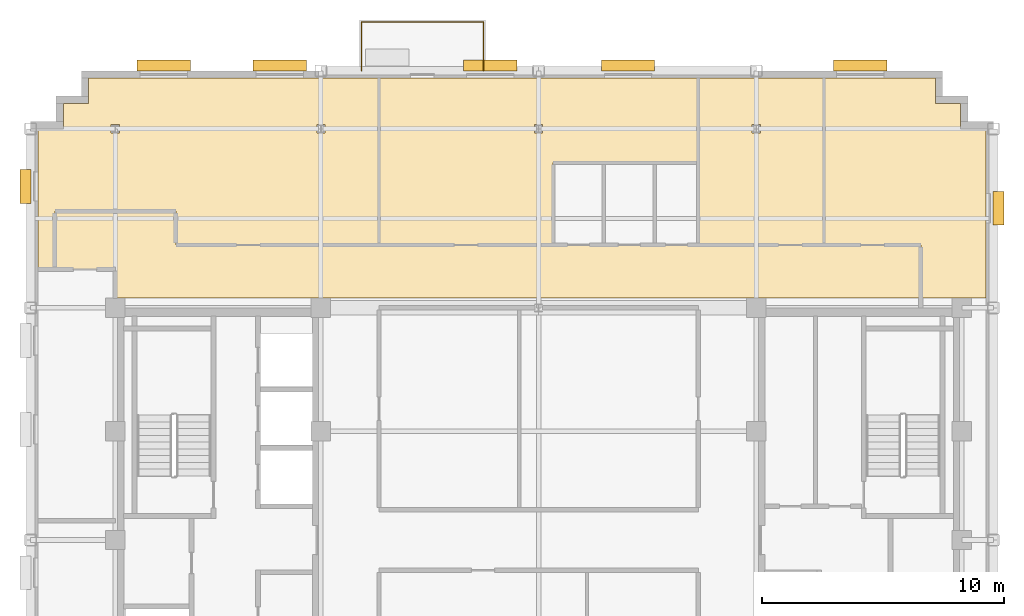
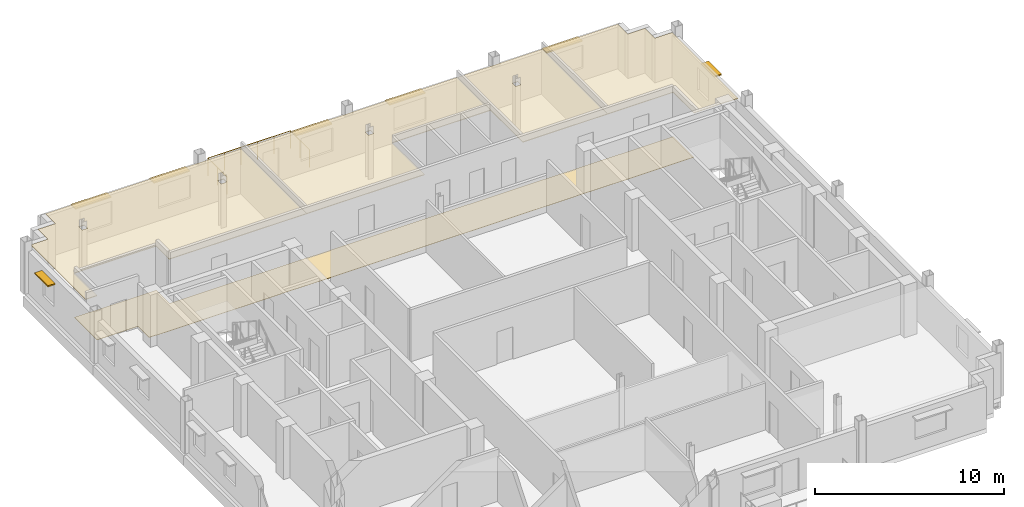
# One storey, part 13 of 13: 7 shading devices, 5 coverings, 1 railing.
"""IFC4 building model written with IfcOpenShell, lengths in metres."""

from ifc_helpers import new_model, si_unit, direction, frame, origin, origin_2d, place, context, subcontext, project, spatial, polyline, rectangle, circle, outline, extrude, source, transform, mapped, material, layer, layer_set, type_object, type_shapes, element, save


model = new_model("IFC4")

# Units and contexts
model_context = context("Model", 3, precision=1e-05, world=origin(), true_north=direction((0.0, 1.0)))
body_context = subcontext(model_context, "Body", "Model", "MODEL_VIEW")
ifc_project = project(units=[si_unit("LENGTHUNIT", "METRE"), si_unit("AREAUNIT", "SQUARE_METRE"), si_unit("VOLUMEUNIT", "CUBIC_METRE"), si_unit("PLANEANGLEUNIT", "RADIAN"), si_unit("MASSUNIT", "GRAM", prefix="KILO")], contexts=[model_context])

# Site, building, storey
site_placement = place(None, origin())
site = spatial("IfcSite", under=ifc_project, at=site_placement, CompositionType="ELEMENT")
building_placement = place(site_placement, origin())
building = spatial("IfcBuilding", under=site, at=building_placement, Name="Nuvemarco Arch Tower", CompositionType="ELEMENT")
storey_placement = place(building_placement, frame((0.0, 0.0, 276.199951171875)))
storey = spatial("IfcBuildingStorey", under=building, at=storey_placement, Name="L73", CompositionType="ELEMENT", Elevation=276.199951171875)

# Coverings
ifc_material_1 = material(Name="Mineral acoustic ceiling tile")
ifc_layer_1 = layer(ifc_material_1, 0.0400390625, Name="COV-ACOUSTIC-CLG")
ifc_layer_set_1 = layer_set([ifc_layer_1], Name="Mineral acoustic ceiling tile")
covering_type_1 = type_object("IfcCoveringType", Name="COV-ACOUSTIC-CLG", PredefinedType="CEILING", material=ifc_layer_set_1)
covering_1_placement = place(storey_placement, frame((0.0, 0.0, 2.85009765625)))
element("IfcCovering", 1, at=covering_1_placement, inside=storey, type_object=covering_type_1, Name="L73 suspended acoustic ceiling 2", PredefinedType="CEILING", context=body_context, shape_type="SweptSolid", body=[
    extrude(outline(polyline([(-20.0, 11.199951171875), (-20.699951171875, 11.199951171875), (-20.699951171875, 17.0), (-19.64990234375, 17.0), (-19.64990234375, 18.050048828125), (-18.60009765625, 18.050048828125), (-18.60009765625, 19.10009765625), (-6.60009765625, 19.10009765625), (-6.60009765625, 12.199951171875), (-9.0, 12.199951171875), (-15.0, 12.199951171875), (-15.0, 13.60009765625), (-20.0, 13.60009765625), (-20.0, 11.199951171875)]), holes=[polyline([(-17.330078125, 17.169921875), (-17.669921875, 17.169921875), (-17.669921875, 16.830078125), (-17.330078125, 16.830078125), (-17.330078125, 17.169921875)]), polyline([(-8.830078125, 17.169921875), (-9.169921875, 17.169921875), (-9.169921875, 16.830078125), (-8.830078125, 16.830078125), (-8.830078125, 17.169921875)])]), origin(), (0.0, 0.0, 1.0), 0.0400390625),
])
covering_2_placement = place(storey_placement, frame((0.0, 0.0, 2.85009765625)))
element("IfcCovering", 2, at=covering_2_placement, inside=storey, type_object=covering_type_1, Name="L73 suspended acoustic ceiling 3", PredefinedType="CEILING", context=body_context, shape_type="SweptSolid", body=[
    extrude(outline(polyline([(-6.60009765625, 12.199951171875), (-6.60009765625, 19.10009765625), (6.60009765625, 19.10009765625), (6.60009765625, 15.60009765625), (4.800048828125, 15.60009765625), (2.699951171875, 15.60009765625), (0.60009765625, 15.60009765625), (0.60009765625, 12.199951171875), (-6.60009765625, 12.199951171875)]), holes=[polyline([(0.169921875, 16.830078125), (0.169921875, 17.169921875), (-0.169921875, 17.169921875), (-0.169921875, 16.830078125), (0.169921875, 16.830078125)])]), origin(), (0.0, 0.0, 1.0), 0.0400390625),
])
covering_3_placement = place(storey_placement, frame((0.0, 0.0, 2.85009765625)))
element("IfcCovering", 3, at=covering_3_placement, inside=storey, type_object=covering_type_1, Name="L73 suspended acoustic ceiling 6", PredefinedType="CEILING", context=body_context, shape_type="SweptSolid", body=[
    extrude(outline(polyline([(18.5, 17.0), (18.5, 10.0), (17.9150390625, 10.0), (17.9150390625, 10.014892578125), (17.0849609375, 10.014892578125), (17.0849609375, 10.0), (15.800048828125, 10.0), (15.800048828125, 12.199951171875), (11.800048828125, 12.199951171875), (11.800048828125, 19.10009765625), (16.39990234375, 19.10009765625), (16.39990234375, 18.050048828125), (17.449951171875, 18.050048828125), (17.449951171875, 17.0), (18.5, 17.0)])), origin(), (0.0, 0.0, 1.0), 0.0400390625),
])
covering_4_placement = place(storey_placement, frame((0.0, 0.0, 2.85009765625)))
element("IfcCovering", 4, at=covering_4_placement, inside=storey, type_object=covering_type_1, Name="L73 suspended acoustic ceiling 7", PredefinedType="CEILING", context=body_context, shape_type="SweptSolid", body=[
    extrude(outline(polyline([(11.800048828125, 19.10009765625), (11.800048828125, 12.199951171875), (9.0, 12.199951171875), (6.60009765625, 12.199951171875), (6.60009765625, 15.60009765625), (6.60009765625, 19.10009765625), (11.800048828125, 19.10009765625)]), holes=[polyline([(9.169921875, 17.169921875), (8.830078125, 17.169921875), (8.830078125, 16.830078125), (9.169921875, 16.830078125), (9.169921875, 17.169921875)])]), origin(), (0.0, 0.0, 1.0), 0.0400390625),
])
ifc_material_2 = material(Name="Polished granite terrazzostone flooring", Category="masonry")
ifc_layer_2 = layer(ifc_material_2, 0.02001953125, Name="COV-LOBBY-FLR")
ifc_layer_set_2 = layer_set([ifc_layer_2], Name="Polished granite terrazzostone flooring")
covering_type_2 = type_object("IfcCoveringType", Name="COV-LOBBY-FLR", PredefinedType="FLOORING", material=ifc_layer_set_2)
covering_5_placement = place(storey_placement, origin())
element("IfcCovering", 5, at=covering_5_placement, inside=storey, type_object=covering_type_2, Name="L73 polished terrazzo lobby flooring", PredefinedType="FLOORING", context=body_context, shape_type="SweptSolid", body=[
    extrude(outline(polyline([(-8.5849609375, 10.014892578125), (-9.4150390625, 10.014892578125), (-9.4150390625, 10.0), (-17.0849609375, 10.0), (-17.0849609375, 10.014892578125), (-17.5, 10.014892578125), (-17.5, 11.199951171875), (-20.0, 11.199951171875), (-20.0, 13.60009765625), (-15.0, 13.60009765625), (-15.0, 12.199951171875), (-9.0, 12.199951171875), (-6.60009765625, 12.199951171875), (6.60009765625, 12.199951171875), (9.0, 12.199951171875), (15.800048828125, 12.199951171875), (15.800048828125, 10.0), (9.4150390625, 10.0), (9.4150390625, 10.014892578125), (8.5849609375, 10.014892578125), (8.5849609375, 10.0), (-8.5849609375, 10.0), (-8.5849609375, 10.014892578125)])), origin(), (0.0, 0.0, 1.0), 0.02001953125),
])

# Railing
ifc_material_3 = material(Name="Dark anodised balustrade steel S355", Category="steel")
railing_type = type_object("IfcRailingType", Name="RL-TERR-GUARD", PredefinedType="BALUSTRADE", material=ifc_material_3)
railing_placement = place(storey_placement, frame((-7.320068359375, 19.39990234375, 0.0)))
element("IfcRailing", 6, at=railing_placement, inside=storey, type_object=railing_type, Name="L73 tree balcony perimeter balustrade guard", PredefinedType="BALUSTRADE", context=body_context, shape_type="SweptSolid", body=[
    extrude(circle(Radius=0.02392578125, at=origin_2d()), frame((0.0, 0.0, 1.1259765625), z_axis=(0.0, 1.0, 0.0), x_axis=(-1.0, 0.0, 0.0)), (0.0, 0.0, 1.0), 2.02001953125),
    extrude(circle(Radius=0.02392578125, at=origin_2d()), frame((0.0, 2.02001953125, 1.1259765625), z_axis=(1.0, 0.0, 0.0), x_axis=(0.0, 1.0, 0.0)), (0.0, 0.0, 1.0), 5.0400390625),
    extrude(circle(Radius=0.02392578125, at=origin_2d()), frame((5.0400390625, 2.02001953125, 1.1259765625), z_axis=(0.0, -1.0, 0.0), x_axis=(1.0, 0.0, 0.0)), (0.0, 0.0, 1.0), 2.02001953125),
    extrude(circle(Radius=0.02099609375, at=origin_2d()), origin(), (0.0, 0.0, 1.0), 1.101806640625),
    extrude(circle(Radius=0.02099609375, at=origin_2d()), frame((0.0, 1.010009765625, 0.0)), (0.0, 0.0, 1.0), 1.101806640625),
    extrude(circle(Radius=0.02099609375, at=origin_2d()), frame((0.0, 2.02001953125, 0.0)), (0.0, 0.0, 1.0), 1.101806640625),
    extrude(circle(Radius=0.02099609375, at=origin_2d()), frame((1.008056640625, 2.02001953125, 0.0)), (0.0, 0.0, 1.0), 1.101806640625),
    extrude(circle(Radius=0.02099609375, at=origin_2d()), frame((2.01611328125, 2.02001953125, 0.0)), (0.0, 0.0, 1.0), 1.101806640625),
    extrude(circle(Radius=0.02099609375, at=origin_2d()), frame((3.02392578125, 2.02001953125, 0.0)), (0.0, 0.0, 1.0), 1.101806640625),
    extrude(circle(Radius=0.02099609375, at=origin_2d()), frame((4.031982421875, 2.02001953125, 0.0)), (0.0, 0.0, 1.0), 1.101806640625),
    extrude(circle(Radius=0.02099609375, at=origin_2d()), frame((5.0400390625, 2.02001953125, 0.0)), (0.0, 0.0, 1.0), 1.101806640625),
    extrude(circle(Radius=0.02099609375, at=origin_2d()), frame((5.0400390625, 1.010009765625, 0.0)), (0.0, 0.0, 1.0), 1.101806640625),
    extrude(circle(Radius=0.02099609375, at=origin_2d()), frame((5.0400390625, 0.0, 0.0)), (0.0, 0.0, 1.0), 1.101806640625),
])

# Shading devices
ifc_material_4 = material(Name="Anodised aluminium 6063-T6", Category="aluminium")
shading_device_type_1 = type_object("IfcShadingDeviceType", Name="SHD-BRISE-SOLEIL", PredefinedType="USERDEFINED", material=ifc_material_4)
shared_shape_1 = source(origin(), body_context, "Body", "SweptSolid", [
    extrude(rectangle(XDim=2.199951171875, YDim=0.449951171875, at=origin_2d()), origin(), (0.0, 0.0, 1.0), 0.080078125),
])
type_shapes(shading_device_type_1, [shared_shape_1])
for number, where, z_axis, x_axis, name in (
    (7, (-15.5, 19.614990234375, 2.284912109375), (0.0, 0.0, 1.0), (1.0, 0.0, 0.0), "L73 horizontal brise-soleil sunshade"),
    (8, (-10.699951171875, 19.614990234375, 2.284912109375), (0.0, 0.0, 1.0), (1.0, 0.0, 0.0), "L73 horizontal brise-soleil sunshade"),
    (9, (-2.0, 19.614990234375, 2.284912109375), (0.0, 0.0, 1.0), (1.0, 0.0, 0.0), "L73 horizontal brise-soleil sunshade"),
    (10, (3.699951171875, 19.614990234375, 2.284912109375), (0.0, 0.0, 1.0), (1.0, 0.0, 0.0), "L73 horizontal brise-soleil sunshade"),
    (11, (13.300048828125, 19.614990234375, 2.284912109375), (0.0, 0.0, 1.0), (1.0, 0.0, 0.0), "L73 horizontal brise-soleil sunshade"),
):
    element("IfcShadingDevice", number, at=place(storey_placement, frame(where, z_axis=z_axis, x_axis=x_axis)), inside=storey, type_object=shading_device_type_1, Name=name, ObjectType="SUNSHADE", PredefinedType="USERDEFINED", context=body_context, shape_type="MappedRepresentation", body=[
        mapped(shared_shape_1, transform((0.0, 0.0, 0.0), scale=1.0)),
    ])
shading_device_type_2 = type_object("IfcShadingDeviceType", Name="SHD-BRISE-NARROW", PredefinedType="USERDEFINED", material=ifc_material_4)
shared_shape_2 = source(origin(), body_context, "Body", "SweptSolid", [
    extrude(rectangle(XDim=1.39990234375, YDim=0.449951171875, at=origin_2d()), origin(), (0.0, 0.0, 1.0), 0.080078125),
])
type_shapes(shading_device_type_2, [shared_shape_2])
for number, where, z_axis, x_axis, name in (
    (12, (19.014892578125, 13.7177734375, 2.284912109375), (0.0, 0.0, 1.0), (0.0, 1.0, 0.0), "L73 horizontal brise-soleil sunshade"),
    (13, (-21.215087890625, 14.61767578125, 2.284912109375), (0.0, 0.0, 1.0), (0.0, 1.0, 0.0), "L73 horizontal brise-soleil sunshade"),
):
    element("IfcShadingDevice", number, at=place(storey_placement, frame(where, z_axis=z_axis, x_axis=x_axis)), inside=storey, type_object=shading_device_type_2, Name=name, ObjectType="SUNSHADE", PredefinedType="USERDEFINED", context=body_context, shape_type="MappedRepresentation", body=[
        mapped(shared_shape_2, transform((0.0, 0.0, 0.0), scale=1.0)),
    ])

save(model, "model.ifc")
